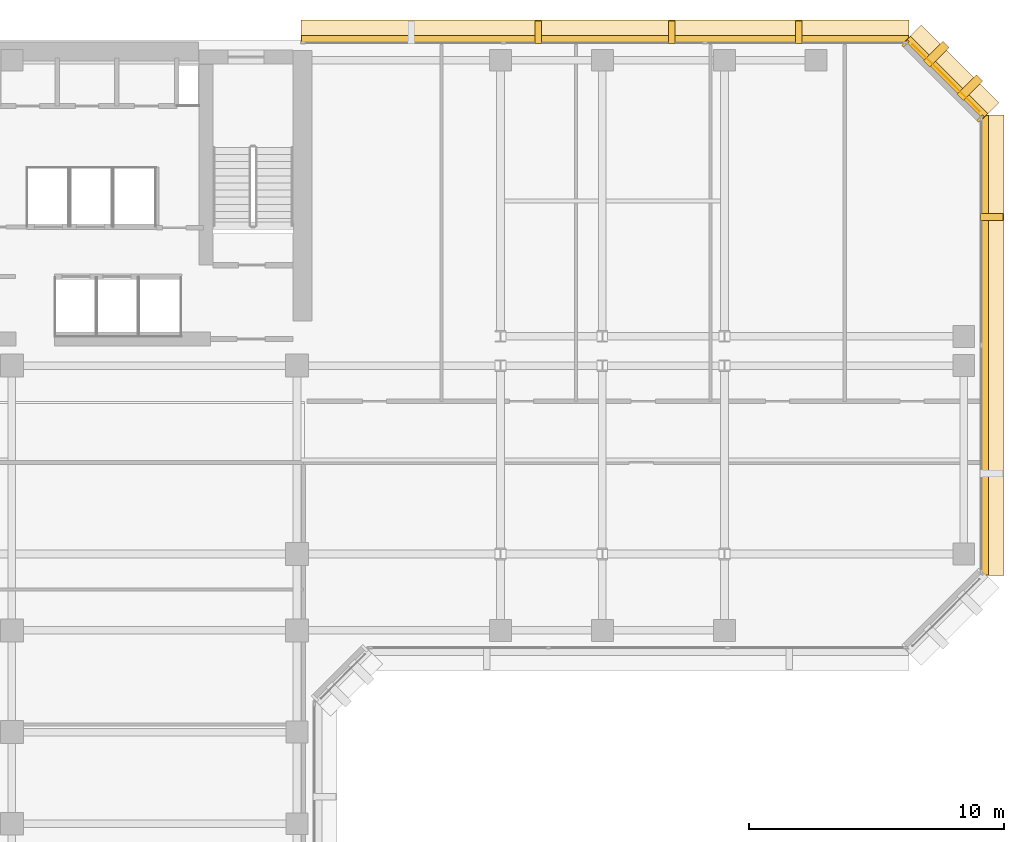
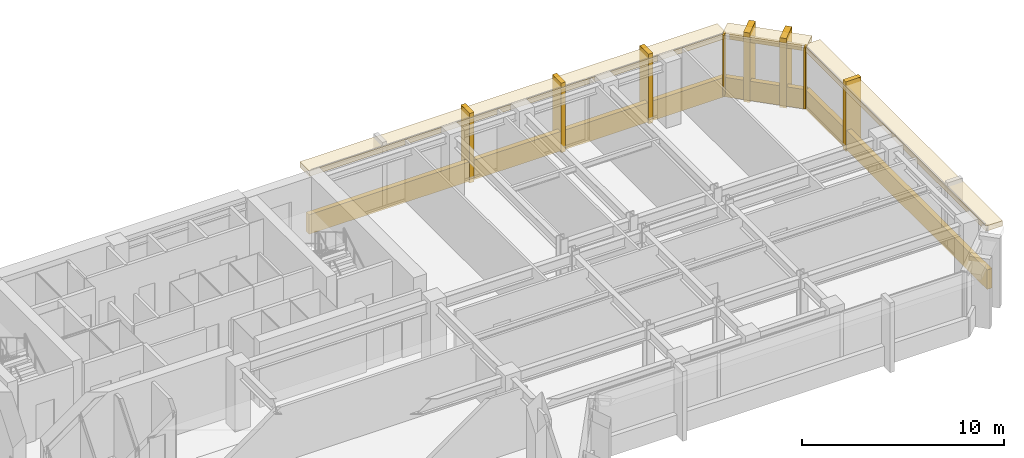
# One storey, part 11 of 11: 15 coverings.
"""IFC4 building model written with IfcOpenShell, lengths in metres."""

from ifc_helpers import new_model, si_unit, direction, frame, origin, origin_2d, place, context, subcontext, project, spatial, rectangle, extrude, material, layer, layer_set, type_object, element, save


model = new_model("IFC4")

# Units and contexts
model_context = context("Model", 3, precision=1e-05, world=origin(), true_north=direction((0.0, 1.0)))
body_context = subcontext(model_context, "Body", "Model", "MODEL_VIEW")
ifc_project = project(units=[si_unit("LENGTHUNIT", "METRE"), si_unit("AREAUNIT", "SQUARE_METRE"), si_unit("VOLUMEUNIT", "CUBIC_METRE"), si_unit("PLANEANGLEUNIT", "RADIAN"), si_unit("MASSUNIT", "GRAM", prefix="KILO")], contexts=[model_context])

# Site, building, storey
site_placement = place(None, origin())
site = spatial("IfcSite", under=ifc_project, at=site_placement, CompositionType="ELEMENT")
building_placement = place(site_placement, origin())
building = spatial("IfcBuilding", under=site, at=building_placement, Name="Kefirva Bronze Tower", CompositionType="ELEMENT")
storey_placement = place(building_placement, frame((0.0, 0.0, 187.43994140625)))
storey = spatial("IfcBuildingStorey", under=building, at=storey_placement, Name="L45", CompositionType="ELEMENT", Elevation=187.43994140625)

# Coverings
ifc_material = material(Name="Bronze anodised aluminium", Category="aluminium")
ifc_layer_1 = layer(ifc_material, 0.02001953125, Name="Bronze anodised aluminium")
ifc_layer_set_1 = layer_set([ifc_layer_1], Name="Bronze anodised aluminium")
covering_type_1 = type_object("IfcCoveringType", Name="Anodised Bronze Spandrel Cladding 20mm", PredefinedType="CLADDING", material=ifc_layer_set_1)
covering_1_placement = place(storey_placement, frame((50.239990234375, 34.0, -0.15966796875), z_axis=(0.0, 0.0, 1.0), x_axis=(0.0, 1.0, 0.0)))
element("IfcCovering", 1, at=covering_1_placement, inside=storey, type_object=covering_type_1, Name="L45 Streamline Horizontal Spandrel Band 6", PredefinedType="CLADDING", context=body_context, shape_type="SweptSolid", body=[
    extrude(rectangle(XDim=18.0400390625, YDim=0.280029296875, at=origin_2d()), origin(), (0.0, 0.0, 1.0), 1.179931640625),
])
covering_2_placement = place(storey_placement, frame((48.70703125, 44.507080078125, 3.2900390625), z_axis=(0.0, 0.0, 1.0), x_axis=(-0.707106781187, 0.707106781187, 0.0)))
element("IfcCovering", 2, at=covering_2_placement, inside=storey, type_object=covering_type_1, Name="L45 Bronze Spandrel Cladding 4", PredefinedType="CLADDING", context=body_context, shape_type="SweptSolid", body=[
    extrude(rectangle(XDim=3.719482421875, YDim=0.02001953125, at=origin_2d()), origin(), (0.0, 0.0, 1.0), 0.39990234375),
])
for number, where, z_axis, x_axis, name in (
    (3, (50.06201171875, 42.91162109375, 0.0), (0.0, 0.0, 1.0), (-0.707106781187, 0.707106781187, 0.0), "L45 Facade Joint Closure Panel 4S"),
    (4, (47.11181640625, 45.862060546875, 0.0), (0.0, 0.0, 1.0), (-0.707106781187, 0.707106781187, 0.0), "L45 Facade Joint Closure Panel 4E"),
):
    element("IfcCovering", number, at=place(storey_placement, frame(where, z_axis=z_axis, x_axis=x_axis)), inside=storey, type_object=covering_type_1, Name=name, PredefinedType="CLADDING", context=body_context, shape_type="SweptSolid", body=[
        extrude(rectangle(XDim=0.10009765625, YDim=0.320068359375, at=origin_2d()), origin(), (0.0, 0.0, 1.0), 3.7099609375),
    ])
covering_3_placement = place(storey_placement, frame((48.728271484375, 44.5283203125, -0.15966796875), z_axis=(0.0, 0.0, 1.0), x_axis=(-0.707106781187, 0.707106781187, 0.0)))
element("IfcCovering", 5, at=covering_3_placement, inside=storey, type_object=covering_type_1, Name="L45 Streamline Horizontal Spandrel Band 7", PredefinedType="CLADDING", context=body_context, shape_type="SweptSolid", body=[
    extrude(rectangle(XDim=4.28271484375, YDim=0.280029296875, at=origin_2d()), origin(), (0.0, 0.0, 1.0), 1.179931640625),
])
covering_4_placement = place(storey_placement, frame((35.302490234375, 46.0400390625, -0.15966796875), z_axis=(0.0, 0.0, 1.0), x_axis=(-1.0, 0.0, 0.0)))
element("IfcCovering", 6, at=covering_4_placement, inside=storey, type_object=covering_type_1, Name="L45 Streamline Horizontal Spandrel Band 8", PredefinedType="CLADDING", context=body_context, shape_type="SweptSolid", body=[
    extrude(rectangle(XDim=23.8349609375, YDim=0.280029296875, at=origin_2d()), origin(), (0.0, 0.0, 1.0), 1.179931640625),
])
ifc_layer_2 = layer(ifc_material, 0.179931640625, Name="Bronze anodised aluminium")
ifc_layer_set_2 = layer_set([ifc_layer_2], Name="Bronze anodised aluminium")
covering_type_2 = type_object("IfcCoveringType", Name="Streamline Bronze Sunshade Eyebrow Cladding 180mm", PredefinedType="CLADDING", material=ifc_layer_set_2)
covering_5_placement = place(storey_placement, frame((50.510009765625, 34.0, 3.39013671875), z_axis=(0.0, 0.0, 1.0), x_axis=(0.0, 1.0, 0.0)))
element("IfcCovering", 7, at=covering_5_placement, inside=storey, type_object=covering_type_2, Name="L45 Streamline Bronze Sunshade Eyebrow 6", PredefinedType="CLADDING", context=body_context, shape_type="SweptSolid", body=[
    extrude(rectangle(XDim=18.080078125, YDim=0.93994140625, at=origin_2d()), origin(), (0.0, 0.0, 1.0), 0.320068359375),
])
covering_6_placement = place(storey_placement, frame((48.919189453125, 44.71923828125, 3.39013671875), z_axis=(0.0, 0.0, 1.0), x_axis=(-0.707106781187, 0.707106781187, 0.0)))
element("IfcCovering", 8, at=covering_6_placement, inside=storey, type_object=covering_type_2, Name="L45 Streamline Bronze Sunshade Eyebrow 7", PredefinedType="CLADDING", context=body_context, shape_type="SweptSolid", body=[
    extrude(rectangle(XDim=4.322509765625, YDim=0.93994140625, at=origin_2d()), origin(), (0.0, 0.0, 1.0), 0.320068359375),
])
covering_7_placement = place(storey_placement, frame((35.302490234375, 46.31005859375, 3.39013671875), z_axis=(0.0, 0.0, 1.0), x_axis=(-1.0, 0.0, 0.0)))
element("IfcCovering", 9, at=covering_7_placement, inside=storey, type_object=covering_type_2, Name="L45 Streamline Bronze Sunshade Eyebrow 8", PredefinedType="CLADDING", context=body_context, shape_type="SweptSolid", body=[
    extrude(rectangle(XDim=23.875, YDim=0.93994140625, at=origin_2d()), origin(), (0.0, 0.0, 1.0), 0.320068359375),
])
ifc_layer_3 = layer(ifc_material, 0.260009765625, Name="Bronze anodised aluminium")
ifc_layer_set_3 = layer_set([ifc_layer_3], Name="Bronze anodised aluminium")
covering_type_3 = type_object("IfcCoveringType", Name="Unbroken Bronze Buttress Fin Cladding 260mm", PredefinedType="CLADDING", material=ifc_layer_set_3)
covering_8_placement = place(storey_placement, frame((50.5, 39.0400390625, -0.25), z_axis=(0.0, 0.0, 1.0), x_axis=(0.0, 1.0, 0.0)))
element("IfcCovering", 10, at=covering_8_placement, inside=storey, type_object=covering_type_3, Name="L45 Unbroken Vertical Bronze Rib Fin 14", PredefinedType="CLADDING", context=body_context, shape_type="SweptSolid", body=[
    extrude(rectangle(XDim=0.260009765625, YDim=0.8798828125, at=origin_2d()), origin(), (0.0, 0.0, 1.0), 4.2099609375),
])
for number, where, z_axis, x_axis, name in (
    (11, (49.642822265625, 44.122802734375, -0.25), (0.0, 0.0, 1.0), (-0.707106781187, 0.707106781187, 0.0), "L45 Chamfered Corner Buttress Fin Cladding 15"),
    (12, (48.32275390625, 45.44287109375, -0.25), (0.0, 0.0, 1.0), (-0.707106781187, 0.707106781187, 0.0), "L45 Chamfered Corner Buttress Fin Cladding 16"),
):
    element("IfcCovering", number, at=place(storey_placement, frame(where, z_axis=z_axis, x_axis=x_axis)), inside=storey, type_object=covering_type_3, Name=name, PredefinedType="CLADDING", context=body_context, shape_type="SweptSolid", body=[
        extrude(rectangle(XDim=0.340087890625, YDim=1.080078125, at=origin_2d()), origin(), (0.0, 0.0, 1.0), 4.2099609375),
    ])
for number, where, z_axis, x_axis, name in (
    (13, (42.9169921875, 46.300048828125, -0.25), (0.0, 0.0, 1.0), (-1.0, 0.0, 0.0), "L45 Unbroken Vertical Bronze Rib Fin 17"),
    (14, (37.919921875, 46.300048828125, -0.25), (0.0, 0.0, 1.0), (-1.0, 0.0, 0.0), "L45 Unbroken Vertical Bronze Rib Fin 18"),
    (15, (32.68505859375, 46.300048828125, -0.25), (0.0, 0.0, 1.0), (-1.0, 0.0, 0.0), "L45 Unbroken Vertical Bronze Rib Fin 19"),
):
    element("IfcCovering", number, at=place(storey_placement, frame(where, z_axis=z_axis, x_axis=x_axis)), inside=storey, type_object=covering_type_3, Name=name, PredefinedType="CLADDING", context=body_context, shape_type="SweptSolid", body=[
        extrude(rectangle(XDim=0.260009765625, YDim=0.8798828125, at=origin_2d()), origin(), (0.0, 0.0, 1.0), 4.2099609375),
    ])

save(model, "model.ifc")
